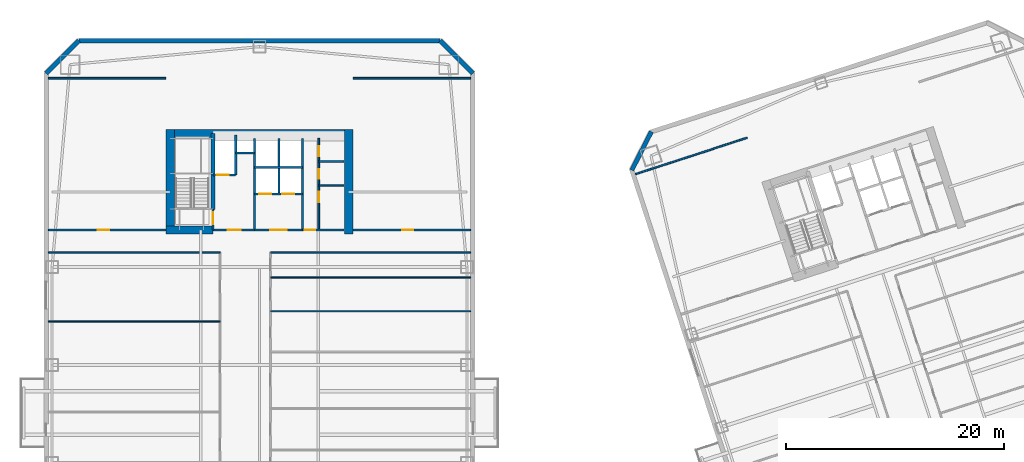
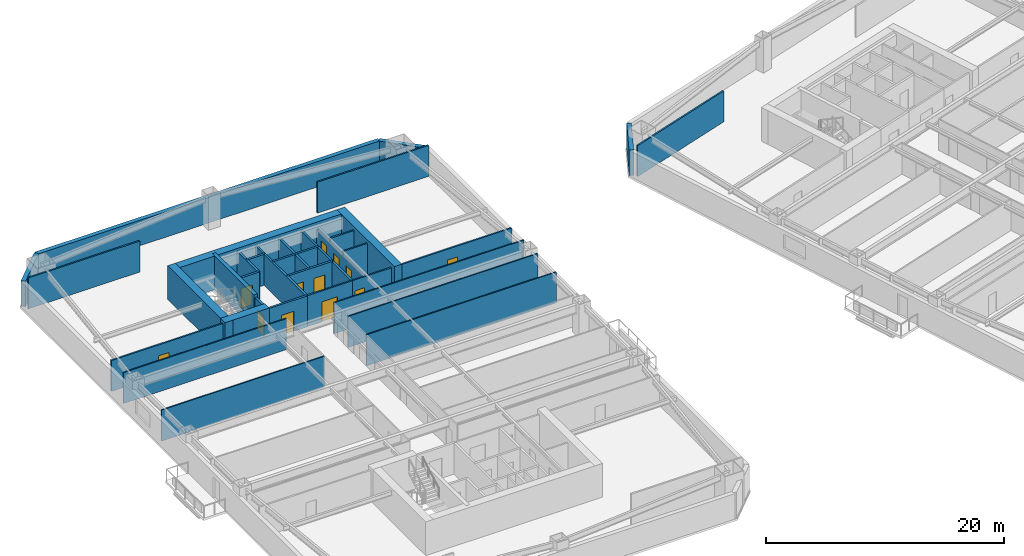
# One storey, part 6 of 15: 34 walls, 12 doors, 12 openings.
"""IFC4 building model written with IfcOpenShell, lengths in metres."""

from ifc_helpers import new_model, si_unit, direction, frame, frame_2d, origin, place, context, subcontext, project, spatial, rectangle, extrude, material, layer, layer_set, type_object, element, fill, save


model = new_model("IFC4")

# Units and contexts
model_context = context("Model", 3, precision=1e-05, world=origin(), true_north=direction((0.0, 1.0)))
body_context = subcontext(model_context, "Body", "Model", "MODEL_VIEW")
ifc_project = project(units=[si_unit("LENGTHUNIT", "METRE"), si_unit("AREAUNIT", "SQUARE_METRE"), si_unit("VOLUMEUNIT", "CUBIC_METRE"), si_unit("PLANEANGLEUNIT", "RADIAN"), si_unit("MASSUNIT", "GRAM", prefix="KILO")], contexts=[model_context])

# Site, building, storey
site_placement = place(None, origin())
site = spatial("IfcSite", under=ifc_project, at=site_placement, CompositionType="ELEMENT")
building_placement = place(site_placement, origin())
building = spatial("IfcBuilding", under=site, at=building_placement, Name="Qiaolan Cultural Towers", CompositionType="ELEMENT")
storey_placement = place(building_placement, frame((0.0, 0.0, 60.949951171875)))
storey = spatial("IfcBuildingStorey", under=building, at=storey_placement, Name="L14", CompositionType="ELEMENT", Elevation=60.949951171875)

# Walls
ifc_material_1 = material(Name="Concrete C50", Category="concrete")
ifc_layer_1 = layer(ifc_material_1, 0.35009765625)
ifc_layer_set_1 = layer_set([ifc_layer_1], Name="Concrete C50")
wall_type_1 = type_object("IfcWallType", Name="WL-CORE-350", PredefinedType="SHEAR", material=ifc_layer_set_1)
wall_1_placement = place(storey_placement, frame((25.719970703125, 48.300048828125, 0.0), z_axis=(0.0, 0.0, 1.0), x_axis=(0.0, 1.0, 0.0)))
element("IfcWall", 1, at=wall_1_placement, inside=storey, type_object=wall_type_1, Name="L14 T1-CN Stair Core Dividing Web", PredefinedType="SHEAR", context=body_context, shape_type="SweptSolid", body=[
    extrude(rectangle(XDim=6.97998046875, YDim=0.35009765625, at=frame_2d((3.489990234375, 0.0))), origin(), (0.0, 0.0, 1.0), 3.449951171875),
])
ifc_material_2 = material(Name="Concrete C60", Category="concrete")
ifc_layer_2 = layer(ifc_material_2, 0.75)
ifc_layer_set_2 = layer_set([ifc_layer_2], Name="Concrete C60")
wall_type_2 = type_object("IfcWallType", Name="WL-CORE-750", PredefinedType="SHEAR", material=ifc_layer_set_2)
wall_2_placement = place(storey_placement, frame((21.425048828125, 55.280029296875, 0.0), z_axis=(0.0, 0.0, 1.0), x_axis=(1.0, 0.0, 0.0)))
element("IfcWall", 2, at=wall_2_placement, inside=storey, type_object=wall_type_2, Name="L14 T1-CN Outer Core Shear Wall", PredefinedType="SHEAR", context=body_context, shape_type="SweptSolid", body=[
    extrude(rectangle(XDim=17.14990234375, YDim=0.75, at=frame_2d((8.574951171875, 0.0))), origin(), (0.0, 0.0, 1.0), 3.449951171875),
])
for number, where, z_axis, x_axis, name in (
    (3, (21.800048828125, 46.02490234375, 0.0), (0.0, 0.0, 1.0), (0.0, 1.0, 0.0), "L14 T1-CN West Core Shear Wall"),
    (4, (38.199951171875, 46.02490234375, 0.0), (0.0, 0.0, 1.0), (0.0, 1.0, 0.0), "L14 T1-CN East Core Shear Wall"),
):
    element("IfcWall", number, at=place(storey_placement, frame(where, z_axis=z_axis, x_axis=x_axis)), inside=storey, type_object=wall_type_2, Name=name, PredefinedType="SHEAR", context=body_context, shape_type="SweptSolid", body=[
        extrude(rectangle(XDim=9.630126953125, YDim=0.75, at=frame_2d((4.81494140625, 0.0))), origin(), (0.0, 0.0, 1.0), 3.449951171875),
    ])
wall_3_placement = place(storey_placement, frame((21.425048828125, 46.39990234375, 0.0), z_axis=(0.0, 0.0, 1.0), x_axis=(1.0, 0.0, 0.0)))
element("IfcWall", 5, at=wall_3_placement, inside=storey, type_object=wall_type_2, Name="L14 T1-CN Stair Front Shear Wall", PredefinedType="SHEAR", context=body_context, shape_type="SweptSolid", body=[
    extrude(rectangle(XDim=4.294921875, YDim=0.75, at=frame_2d((2.1474609375, 0.0))), origin(), (0.0, 0.0, 1.0), 3.449951171875),
])
ifc_material_3 = material(Name="Precast Concrete C50 Honed Stone Pier", Category="masonry")
ifc_layer_3 = layer(ifc_material_3, 0.39990234375)
ifc_layer_set_3 = layer_set([ifc_layer_3], Name="Precast Concrete C50 Honed Stone Pier")
wall_type_3 = type_object("IfcWallType", Name="WL-EXT-PIER-400", PredefinedType="SOLIDWALL", material=ifc_layer_set_3)
wall_4_placement = place(storey_placement, frame((10.39990234375, 60.800048828125, 0.0), z_axis=(0.0, 0.0, 1.0), x_axis=(0.707106781187, 0.707106781187, 0.0)))
element("IfcWall", 6, at=wall_4_placement, inside=storey, type_object=wall_type_3, Name="L14 West Tower Precast Pier Facade Wall F2", PredefinedType="SOLIDWALL", context=body_context, shape_type="SweptSolid", body=[
    extrude(rectangle(XDim=4.24267578125, YDim=0.39990234375, at=frame_2d((2.121337890625, 0.0))), origin(), (0.0, 0.0, 1.0), 2.610107421875),
])
wall_5_placement = place(storey_placement, frame((13.39990234375, 63.800048828125, 0.0), z_axis=(0.0, 0.0, 1.0), x_axis=(1.0, 0.0, 0.0)))
element("IfcWall", 7, at=wall_5_placement, inside=storey, type_object=wall_type_3, Name="L14 West Tower Precast Pier Facade Wall F3", PredefinedType="SOLIDWALL", context=body_context, shape_type="SweptSolid", body=[
    extrude(rectangle(XDim=33.2001953125, YDim=0.39990234375, at=frame_2d((16.60009765625, 0.0))), origin(), (0.0, 0.0, 1.0), 2.610107421875),
])
wall_6_placement = place(storey_placement, frame((46.60009765625, 63.800048828125, 0.0), z_axis=(0.0, 0.0, 1.0), x_axis=(0.707106781187, -0.707106781187, 0.0)))
element("IfcWall", 8, at=wall_6_placement, inside=storey, type_object=wall_type_3, Name="L14 West Tower Precast Pier Facade Wall F4", PredefinedType="SOLIDWALL", context=body_context, shape_type="SweptSolid", body=[
    extrude(rectangle(XDim=4.24267578125, YDim=0.39990234375, at=frame_2d((2.121337890625, 0.0))), origin(), (0.0, 0.0, 1.0), 2.610107421875),
])
wall_7_placement = place(storey_placement, frame((64.20458984375, 51.905029296875, 0.0), z_axis=(0.0, 0.0, 1.0), x_axis=(0.453958106755, 0.891023028497, 0.0)))
element("IfcWall", 9, at=wall_7_placement, inside=storey, type_object=wall_type_3, Name="L14 East Tower Precast Pier Facade Wall F2", PredefinedType="SOLIDWALL", context=body_context, shape_type="SweptSolid", body=[
    extrude(rectangle(XDim=3.9599609375, YDim=0.39990234375, at=frame_2d((1.97998046875, 0.0))), origin(), (0.0, 0.0, 1.0), 2.610107421875),
])

# Wall, opening, door
ifc_material_4 = material(Name="Concrete C35 Fire Wall", Category="concrete")
ifc_layer_4 = layer(ifc_material_4, 0.199951171875)
ifc_layer_set_4 = layer_set([ifc_layer_4], Name="Concrete C35 Fire Wall")
wall_type_4 = type_object("IfcWallType", Name="WL-FIRE-200", PredefinedType="PARTITIONING", material=ifc_layer_set_4)
wall_8_placement = place(storey_placement, frame((25.719970703125, 46.39990234375, 0.0), z_axis=(0.0, 0.0, 1.0), x_axis=(0.0, 1.0, 0.0)))
wall_8 = element("IfcWall", 10, at=wall_8_placement, inside=storey, type_object=wall_type_4, Name="L14 T1-CN Smokeproof Stair Entry Wall", PredefinedType="PARTITIONING", context=body_context, shape_type="SweptSolid", body=[
    extrude(rectangle(XDim=1.900146484375, YDim=0.199951171875, at=frame_2d((0.9501953125, 0.0))), origin(), (0.0, 0.0, 1.0), 3.175048828125),
])
opening_1_placement = place(wall_8_placement, frame((0.52001953125, 0.0, 0.0)))
opening_1 = element("IfcOpeningElement", 11, at=opening_1_placement, cuts=wall_8, Name="Opening FD-04", PredefinedType="OPENING", context=body_context, shape_type="SweptSolid", body=[
    extrude(rectangle(XDim=1.10009765625, YDim=2.050048828125, at=frame_2d((0.550048828125, 1.02490234375))), frame((0.0, 0.10986328125, 0.0), z_axis=(0.0, -1.0, 0.0), x_axis=(1.0, 0.0, 0.0)), (0.0, 0.0, 1.0), 0.219970703125),
])
ifc_material_5 = material(Name="Galvanized Steel Command Fire Door", Category="steel")
door_type_1 = type_object("IfcDoorType", Name="DR-FD90-1100", OperationType="NOTDEFINED", PredefinedType="DOOR", material=ifc_material_5)
door_1_placement = place(opening_1_placement, origin())
door_1 = element("IfcDoor", 12, at=door_1_placement, inside=storey, type_object=door_type_1, Name="L14 ST-W2 Smokeproof Stair Fire Door", OperationType="SINGLE_SWING_LEFT", OverallHeight=2.050048828125, OverallWidth=1.10009765625, PredefinedType="DOOR", context=body_context, shape_type="SweptSolid", body=[
    extrude(rectangle(XDim=1.10009765625, YDim=2.050048828125, at=frame_2d((0.550048828125, 1.02490234375))), frame((0.0, 0.02490234375, 0.0), z_axis=(0.0, -1.0, 0.0), x_axis=(1.0, 0.0, 0.0)), (0.0, 0.0, 1.0), 0.050048828125),
])
fill(opening_1, door_1)

# Wall
wall_9_placement = place(storey_placement, frame((29.550048828125, 46.39990234375, 0.0), z_axis=(0.0, 0.0, 1.0), x_axis=(0.0, 1.0, 0.0)))
element("IfcWall", 13, at=wall_9_placement, inside=storey, type_object=wall_type_4, Name="L14 T1-CN Firefighting Zone Wall", PredefinedType="PARTITIONING", context=body_context, shape_type="SweptSolid", body=[
    extrude(rectangle(XDim=8.43017578125, YDim=0.199951171875, at=frame_2d((4.215087890625, 0.0))), origin(), (0.0, 0.0, 1.0), 3.175048828125),
])

# Wall, opening, door
wall_10_placement = place(storey_placement, frame((25.719970703125, 46.39990234375, 0.0), z_axis=(0.0, 0.0, 1.0), x_axis=(1.0, 0.0, 0.0)))
wall_10 = element("IfcWall", 14, at=wall_10_placement, inside=storey, type_object=wall_type_4, Name="L14 T1-CN Firefighting Lobby Front Wall", PredefinedType="PARTITIONING", context=body_context, shape_type="SweptSolid", body=[
    extrude(rectangle(XDim=3.830078125, YDim=0.199951171875, at=frame_2d((1.9150390625, 0.0))), origin(), (0.0, 0.0, 1.0), 3.175048828125),
])
opening_2_placement = place(wall_10_placement, frame((1.35009765625, 0.0, 0.0)))
opening_2 = element("IfcOpeningElement", 15, at=opening_2_placement, cuts=wall_10, Name="Opening FD-03", PredefinedType="OPENING", context=body_context, shape_type="SweptSolid", body=[
    extrude(rectangle(XDim=1.199951171875, YDim=2.050048828125, at=frame_2d((0.60009765625, 1.02490234375))), frame((0.0, 0.10986328125, 0.0), z_axis=(0.0, -1.0, 0.0), x_axis=(1.0, 0.0, 0.0)), (0.0, 0.0, 1.0), 0.219970703125),
])
ifc_material_6 = material(Name="Galvanized Steel Smokeproof Lobby Fire Door", Category="steel")
door_type_2 = type_object("IfcDoorType", Name="DR-FD90-1200", OperationType="NOTDEFINED", PredefinedType="DOOR", material=ifc_material_6)
door_2_placement = place(opening_2_placement, origin())
door_2 = element("IfcDoor", 16, at=door_2_placement, inside=storey, type_object=door_type_2, Name="L14 FFL-W2 Firefighting Lobby Fire Door", OperationType="SINGLE_SWING_LEFT", OverallHeight=2.050048828125, OverallWidth=1.199951171875, PredefinedType="DOOR", context=body_context, shape_type="SweptSolid", body=[
    extrude(rectangle(XDim=1.199951171875, YDim=2.050048828125, at=frame_2d((0.60009765625, 1.02490234375))), frame((0.0, 0.02490234375, 0.0), z_axis=(0.0, -1.0, 0.0), x_axis=(1.0, 0.0, 0.0)), (0.0, 0.0, 1.0), 0.050048828125),
])
fill(opening_2, door_2)

wall_11_placement = place(storey_placement, frame((25.719970703125, 51.449951171875, 0.0), z_axis=(0.0, 0.0, 1.0), x_axis=(1.0, 0.0, 0.0)))
wall_11 = element("IfcWall", 17, at=wall_11_placement, inside=storey, type_object=wall_type_4, Name="L14 T1-CN Firefighting Shaft Front Wall", PredefinedType="PARTITIONING", context=body_context, shape_type="SweptSolid", body=[
    extrude(rectangle(XDim=2.10009765625, YDim=0.199951171875, at=frame_2d((1.050048828125, 0.0))), origin(), (0.0, 0.0, 1.0), 3.175048828125),
])
opening_3_placement = place(wall_11_placement, frame((0.35009765625, 0.0, 0.0)))
opening_3 = element("IfcOpeningElement", 18, at=opening_3_placement, cuts=wall_11, Name="Opening LD-01", PredefinedType="OPENING", context=body_context, shape_type="SweptSolid", body=[
    extrude(rectangle(XDim=1.10009765625, YDim=2.050048828125, at=frame_2d((0.550048828125, 1.02490234375))), frame((0.0, 0.10986328125, 0.0), z_axis=(0.0, -1.0, 0.0), x_axis=(1.0, 0.0, 0.0)), (0.0, 0.0, 1.0), 0.219970703125),
])
ifc_material_7 = material(Name="Brushed Stainless Steel S30408 Centre-Parting Lift Landing Door", Category="steel")
door_type_3 = type_object("IfcDoorType", Name="DR-LIFT-1100", OperationType="NOTDEFINED", PredefinedType="DOOR", material=ifc_material_7)
door_3_placement = place(opening_3_placement, origin())
door_3 = element("IfcDoor", 19, at=door_3_placement, inside=storey, type_object=door_type_3, Name="L14 FFL-W2 Firefighting Lift Landing Door", OperationType="DOUBLE_DOOR_SLIDING", OverallHeight=2.050048828125, OverallWidth=1.10009765625, PredefinedType="DOOR", context=body_context, shape_type="SweptSolid", body=[
    extrude(rectangle(XDim=1.10009765625, YDim=2.050048828125, at=frame_2d((0.550048828125, 1.02490234375))), frame((0.0, 0.02490234375, 0.0), z_axis=(0.0, -1.0, 0.0), x_axis=(1.0, 0.0, 0.0)), (0.0, 0.0, 1.0), 0.050048828125),
])
fill(opening_3, door_3)

# Walls
wall_12_placement = place(storey_placement, frame((27.820068359375, 51.449951171875, 0.0), z_axis=(0.0, 0.0, 1.0), x_axis=(0.0, 1.0, 0.0)))
element("IfcWall", 20, at=wall_12_placement, inside=storey, type_object=wall_type_4, Name="L14 T1-CN Firefighting Hoistway East Wall", PredefinedType="PARTITIONING", context=body_context, shape_type="SweptSolid", body=[
    extrude(rectangle(XDim=3.699951171875, YDim=0.199951171875, at=frame_2d((1.85009765625, 0.0))), origin(), (0.0, 0.0, 1.0), 3.175048828125),
])
wall_13_placement = place(storey_placement, frame((27.820068359375, 53.47998046875, 0.0), z_axis=(0.0, 0.0, 1.0), x_axis=(1.0, 0.0, 0.0)))
element("IfcWall", 21, at=wall_13_placement, inside=storey, type_object=wall_type_4, Name="L14 T1-CN Pressurization Shaft Front Wall", PredefinedType="PARTITIONING", context=body_context, shape_type="SweptSolid", body=[
    extrude(rectangle(XDim=1.72998046875, YDim=0.199951171875, at=frame_2d((0.864990234375, 0.0))), origin(), (0.0, 0.0, 1.0), 3.175048828125),
])
wall_14_placement = place(storey_placement, frame((33.949951171875, 46.39990234375, 0.0), z_axis=(0.0, 0.0, 1.0), x_axis=(0.0, 1.0, 0.0)))
element("IfcWall", 22, at=wall_14_placement, inside=storey, type_object=wall_type_4, Name="L14 T1-CN Lift Core East Wall", PredefinedType="PARTITIONING", context=body_context, shape_type="SweptSolid", body=[
    extrude(rectangle(XDim=8.43017578125, YDim=0.199951171875, at=frame_2d((4.215087890625, 0.0))), origin(), (0.0, 0.0, 1.0), 3.175048828125),
])

# Wall, openings, doors
wall_15_placement = place(storey_placement, frame((29.550048828125, 49.719970703125, 0.0), z_axis=(0.0, 0.0, 1.0), x_axis=(1.0, 0.0, 0.0)))
wall_15 = element("IfcWall", 23, at=wall_15_placement, inside=storey, type_object=wall_type_4, Name="L14 T1-CN Passenger Lift Shaft Front Wall", PredefinedType="PARTITIONING", context=body_context, shape_type="SweptSolid", body=[
    extrude(rectangle(XDim=4.39990234375, YDim=0.199951171875, at=frame_2d((2.199951171875, 0.0))), origin(), (0.0, 0.0, 1.0), 3.175048828125),
])
opening_4_placement = place(wall_15_placement, frame((0.449951171875, 0.0, 0.0)))
opening_4 = element("IfcOpeningElement", 24, at=opening_4_placement, cuts=wall_15, Name="Opening LD-01", PredefinedType="OPENING", context=body_context, shape_type="SweptSolid", body=[
    extrude(rectangle(XDim=1.10009765625, YDim=2.050048828125, at=frame_2d((0.550048828125, 1.02490234375))), frame((0.0, 0.10986328125, 0.0), z_axis=(0.0, -1.0, 0.0), x_axis=(1.0, 0.0, 0.0)), (0.0, 0.0, 1.0), 0.219970703125),
])
opening_5_placement = place(wall_15_placement, frame((2.550048828125, 0.0, 0.0)))
opening_5 = element("IfcOpeningElement", 25, at=opening_5_placement, cuts=wall_15, Name="Opening LD-01", PredefinedType="OPENING", context=body_context, shape_type="SweptSolid", body=[
    extrude(rectangle(XDim=1.10009765625, YDim=2.050048828125, at=frame_2d((0.550048828125, 1.02490234375))), frame((0.0, 0.10986328125, 0.0), z_axis=(0.0, -1.0, 0.0), x_axis=(1.0, 0.0, 0.0)), (0.0, 0.0, 1.0), 0.219970703125),
])
door_4_placement = place(opening_4_placement, origin())
door_4 = element("IfcDoor", 26, at=door_4_placement, inside=storey, type_object=door_type_3, Name="L14 Passenger Lift 1 Landing Door", OperationType="DOUBLE_DOOR_SLIDING", OverallHeight=2.050048828125, OverallWidth=1.10009765625, PredefinedType="DOOR", context=body_context, shape_type="SweptSolid", body=[
    extrude(rectangle(XDim=1.10009765625, YDim=2.050048828125, at=frame_2d((0.550048828125, 1.02490234375))), frame((0.0, 0.02490234375, 0.0), z_axis=(0.0, -1.0, 0.0), x_axis=(1.0, 0.0, 0.0)), (0.0, 0.0, 1.0), 0.050048828125),
])
fill(opening_4, door_4)
door_5_placement = place(opening_5_placement, origin())
door_5 = element("IfcDoor", 27, at=door_5_placement, inside=storey, type_object=door_type_3, Name="L14 Passenger Lift 2 Landing Door", OperationType="DOUBLE_DOOR_SLIDING", OverallHeight=2.050048828125, OverallWidth=1.10009765625, PredefinedType="DOOR", context=body_context, shape_type="SweptSolid", body=[
    extrude(rectangle(XDim=1.10009765625, YDim=2.050048828125, at=frame_2d((0.550048828125, 1.02490234375))), frame((0.0, 0.02490234375, 0.0), z_axis=(0.0, -1.0, 0.0), x_axis=(1.0, 0.0, 0.0)), (0.0, 0.0, 1.0), 0.050048828125),
])
fill(opening_5, door_5)

# Walls
wall_16_placement = place(storey_placement, frame((31.780029296875, 49.719970703125, 0.0), z_axis=(0.0, 0.0, 1.0), x_axis=(0.0, 1.0, 0.0)))
element("IfcWall", 28, at=wall_16_placement, inside=storey, type_object=wall_type_4, Name="L14 T1-CN Lift Shaft Divider Wall", PredefinedType="PARTITIONING", context=body_context, shape_type="SweptSolid", body=[
    extrude(rectangle(XDim=5.110107421875, YDim=0.199951171875, at=frame_2d((2.55517578125, 0.0))), origin(), (0.0, 0.0, 1.0), 3.175048828125),
])
wall_17_placement = place(storey_placement, frame((29.550048828125, 52.14990234375, 0.0), z_axis=(0.0, 0.0, 1.0), x_axis=(1.0, 0.0, 0.0)))
element("IfcWall", 29, at=wall_17_placement, inside=storey, type_object=wall_type_4, Name="L14 T1-CN Passenger Lift Shaft Back Wall", PredefinedType="PARTITIONING", context=body_context, shape_type="SweptSolid", body=[
    extrude(rectangle(XDim=4.39990234375, YDim=0.199951171875, at=frame_2d((2.199951171875, 0.0))), origin(), (0.0, 0.0, 1.0), 3.175048828125),
])
ifc_material_8 = material(Name="Gypsum Stud Acoustic Partition", Category="gypsum")
ifc_layer_5 = layer(ifc_material_8, 0.1201171875)
ifc_layer_set_5 = layer_set([ifc_layer_5], Name="Gypsum Stud Acoustic Partition")
wall_type_5 = type_object("IfcWallType", Name="WL-PART-120", PredefinedType="PARTITIONING", material=ifc_layer_set_5)
wall_18_placement = place(storey_placement, frame((10.60009765625, 44.35009765625, 0.0), z_axis=(0.0, 0.0, 1.0), x_axis=(1.0, 0.0, 0.0)))
element("IfcWall", 30, at=wall_18_placement, inside=storey, type_object=wall_type_5, Name="L14 T1 North Corridor Left Wall", PredefinedType="PARTITIONING", context=body_context, shape_type="SweptSolid", body=[
    extrude(rectangle(XDim=15.77490234375, YDim=0.1201171875, at=frame_2d((7.887451171875, 0.0))), origin(), (0.0, 0.0, 1.0), 3.175048828125),
])
wall_19_placement = place(storey_placement, frame((31.02490234375, 44.35009765625, 0.0), z_axis=(0.0, 0.0, 1.0), x_axis=(1.0, 0.0, 0.0)))
element("IfcWall", 31, at=wall_19_placement, inside=storey, type_object=wall_type_5, Name="L14 T1 North Corridor Right Wall", PredefinedType="PARTITIONING", context=body_context, shape_type="SweptSolid", body=[
    extrude(rectangle(XDim=18.375, YDim=0.1201171875, at=frame_2d((9.1875, 0.0))), origin(), (0.0, 0.0, 1.0), 3.175048828125),
])
wall_20_placement = place(storey_placement, frame((10.60009765625, 38.0, 0.0), z_axis=(0.0, 0.0, 1.0), x_axis=(1.0, 0.0, 0.0)))
element("IfcWall", 32, at=wall_20_placement, inside=storey, type_object=wall_type_5, Name="L14 T1 West Partition 2", PredefinedType="PARTITIONING", context=body_context, shape_type="SweptSolid", body=[
    extrude(rectangle(XDim=15.77490234375, YDim=0.1201171875, at=frame_2d((7.887451171875, 0.0))), origin(), (0.0, 0.0, 1.0), 3.175048828125),
])
for number, where, z_axis, x_axis, name in (
    (33, (31.02490234375, 38.93603515625, 0.0), (0.0, 0.0, 1.0), (1.0, 0.0, 0.0), "L14 T1 East Partition 4"),
    (34, (31.02490234375, 42.041015625, 0.0), (0.0, 0.0, 1.0), (1.0, 0.0, 0.0), "L14 T1 East Partition 5"),
):
    element("IfcWall", number, at=place(storey_placement, frame(where, z_axis=z_axis, x_axis=x_axis)), inside=storey, type_object=wall_type_5, Name=name, PredefinedType="PARTITIONING", context=body_context, shape_type="SweptSolid", body=[
        extrude(rectangle(XDim=18.375, YDim=0.1201171875, at=frame_2d((9.1875, 0.0))), origin(), (0.0, 0.0, 1.0), 3.175048828125),
    ])

# Wall, opening, door
ifc_material_9 = material(Name="Autoclaved Aerated Concrete Block B06", Category="concrete")
ifc_layer_6 = layer(ifc_material_9, 0.14990234375)
ifc_layer_set_6 = layer_set([ifc_layer_6], Name="Autoclaved Aerated Concrete Block B06")
wall_type_6 = type_object("IfcWallType", Name="WL-PART-150", PredefinedType="PARTITIONING", material=ifc_layer_set_6)
wall_21_placement = place(storey_placement, frame((29.550048828125, 46.39990234375, 0.0), z_axis=(0.0, 0.0, 1.0), x_axis=(1.0, 0.0, 0.0)))
wall_21 = element("IfcWall", 35, at=wall_21_placement, inside=storey, type_object=wall_type_6, Name="L14 T1-CN Passenger Lift Lobby Front Wall", PredefinedType="PARTITIONING", context=body_context, shape_type="SweptSolid", body=[
    extrude(rectangle(XDim=4.39990234375, YDim=0.14990234375, at=frame_2d((2.199951171875, 0.0))), origin(), (0.0, 0.0, 1.0), 3.175048828125),
])
opening_6_placement = place(wall_21_placement, frame((1.449951171875, 0.0, 0.0)))
opening_6 = element("IfcOpeningElement", 36, at=opening_6_placement, cuts=wall_21, Name="Opening FD-05", PredefinedType="OPENING", context=body_context, shape_type="SweptSolid", body=[
    extrude(rectangle(XDim=1.5, YDim=2.050048828125, at=frame_2d((0.75, 1.02490234375))), frame((0.0, 0.0849609375, 0.0), z_axis=(0.0, -1.0, 0.0), x_axis=(1.0, 0.0, 0.0)), (0.0, 0.0, 1.0), 0.169921875),
])
ifc_material_10 = material(Name="Painted Steel Lift Lobby Fire Door", Category="steel")
door_type_4 = type_object("IfcDoorType", Name="DR-FD60-1500", OperationType="NOTDEFINED", PredefinedType="DOOR", material=ifc_material_10)
door_6_placement = place(opening_6_placement, origin())
door_6 = element("IfcDoor", 37, at=door_6_placement, inside=storey, type_object=door_type_4, Name="L14 Passenger Lift Lobby Entrance", OperationType="SINGLE_SWING_LEFT", OverallHeight=2.050048828125, OverallWidth=1.5, PredefinedType="DOOR", context=body_context, shape_type="SweptSolid", body=[
    extrude(rectangle(XDim=1.5, YDim=2.050048828125, at=frame_2d((0.75, 1.02490234375))), frame((0.0, 0.02490234375, 0.0), z_axis=(0.0, -1.0, 0.0), x_axis=(1.0, 0.0, 0.0)), (0.0, 0.0, 1.0), 0.050048828125),
])
fill(opening_6, door_6)

wall_22_placement = place(storey_placement, frame((33.949951171875, 46.39990234375, 0.0), z_axis=(0.0, 0.0, 1.0), x_axis=(1.0, 0.0, 0.0)))
wall_22 = element("IfcWall", 38, at=wall_22_placement, inside=storey, type_object=wall_type_6, Name="L14 T1-CN Sanitary Core Front Wall", PredefinedType="PARTITIONING", context=body_context, shape_type="SweptSolid", body=[
    extrude(rectangle(XDim=3.800048828125, YDim=0.14990234375, at=frame_2d((1.89990234375, 0.0))), origin(), (0.0, 0.0, 1.0), 3.175048828125),
])
opening_7_placement = place(wall_22_placement, frame((0.219970703125, 0.0, 0.0)))
opening_7 = element("IfcOpeningElement", 39, at=opening_7_placement, cuts=wall_22, Name="Opening ID-05", PredefinedType="OPENING", context=body_context, shape_type="SweptSolid", body=[
    extrude(rectangle(XDim=0.949951171875, YDim=2.050048828125, at=frame_2d((0.47509765625, 1.02490234375))), frame((0.0, 0.0849609375, 0.0), z_axis=(0.0, -1.0, 0.0), x_axis=(1.0, 0.0, 0.0)), (0.0, 0.0, 1.0), 0.169921875),
])
ifc_material_11 = material(Name="Fire-Rated Laminate Accessible Core Door", Category="timber")
door_type_5 = type_object("IfcDoorType", Name="DR-INT-950", OperationType="NOTDEFINED", PredefinedType="DOOR", material=ifc_material_11)
door_7_placement = place(opening_7_placement, origin())
door_7 = element("IfcDoor", 40, at=door_7_placement, inside=storey, type_object=door_type_5, Name="L14 Sanitary Vestibule Door", OperationType="SINGLE_SWING_LEFT", OverallHeight=2.050048828125, OverallWidth=0.949951171875, PredefinedType="DOOR", context=body_context, shape_type="SweptSolid", body=[
    extrude(rectangle(XDim=0.949951171875, YDim=2.050048828125, at=frame_2d((0.47509765625, 1.02490234375))), frame((0.0, 0.02490234375, 0.0), z_axis=(0.0, -1.0, 0.0), x_axis=(1.0, 0.0, 0.0)), (0.0, 0.0, 1.0), 0.050048828125),
])
fill(opening_7, door_7)

# Wall, openings, doors
wall_23_placement = place(storey_placement, frame((35.449951171875, 46.39990234375, 0.0), z_axis=(0.0, 0.0, 1.0), x_axis=(0.0, 1.0, 0.0)))
wall_23 = element("IfcWall", 41, at=wall_23_placement, inside=storey, type_object=wall_type_6, Name="L14 T1-CN Sanitary Vestibule Wall", PredefinedType="PARTITIONING", context=body_context, shape_type="SweptSolid", body=[
    extrude(rectangle(XDim=8.43017578125, YDim=0.14990234375, at=frame_2d((4.215087890625, 0.0))), origin(), (0.0, 0.0, 1.0), 2.76513671875),
])
opening_8_placement = place(wall_23_placement, frame((2.550048828125, 0.0, 0.0)))
opening_8 = element("IfcOpeningElement", 42, at=opening_8_placement, cuts=wall_23, Name="Opening ID-05", PredefinedType="OPENING", context=body_context, shape_type="SweptSolid", body=[
    extrude(rectangle(XDim=0.949951171875, YDim=2.050048828125, at=frame_2d((0.47509765625, 1.02490234375))), frame((0.0, 0.0849609375, 0.0), z_axis=(0.0, -1.0, 0.0), x_axis=(1.0, 0.0, 0.0)), (0.0, 0.0, 1.0), 0.169921875),
])
opening_9_placement = place(wall_23_placement, frame((4.699951171875, 0.0, 0.0)))
opening_9 = element("IfcOpeningElement", 43, at=opening_9_placement, cuts=wall_23, Name="Opening ID-06", PredefinedType="OPENING", context=body_context, shape_type="SweptSolid", body=[
    extrude(rectangle(XDim=0.89990234375, YDim=2.050048828125, at=frame_2d((0.449951171875, 1.02490234375))), frame((0.0, 0.0849609375, 0.0), z_axis=(0.0, -1.0, 0.0), x_axis=(1.0, 0.0, 0.0)), (0.0, 0.0, 1.0), 0.169921875),
])
opening_10_placement = place(wall_23_placement, frame((6.800048828125, 0.0, 0.0)))
opening_10 = element("IfcOpeningElement", 44, at=opening_10_placement, cuts=wall_23, Name="Opening ID-06", PredefinedType="OPENING", context=body_context, shape_type="SweptSolid", body=[
    extrude(rectangle(XDim=0.89990234375, YDim=2.050048828125, at=frame_2d((0.449951171875, 1.02490234375))), frame((0.0, 0.0849609375, 0.0), z_axis=(0.0, -1.0, 0.0), x_axis=(1.0, 0.0, 0.0)), (0.0, 0.0, 1.0), 0.169921875),
])
ifc_material_12 = material(Name="Fire-Rated Laminate Core Service Door", Category="timber")
door_type_6 = type_object("IfcDoorType", Name="DR-INT-900", OperationType="NOTDEFINED", PredefinedType="DOOR", material=ifc_material_12)
door_8_placement = place(opening_9_placement, origin())
door_8 = element("IfcDoor", 45, at=door_8_placement, inside=storey, type_object=door_type_6, Name="L14 Men Washroom Door", OperationType="SINGLE_SWING_LEFT", OverallHeight=2.050048828125, OverallWidth=0.89990234375, PredefinedType="DOOR", context=body_context, shape_type="SweptSolid", body=[
    extrude(rectangle(XDim=0.89990234375, YDim=2.050048828125, at=frame_2d((0.449951171875, 1.02490234375))), frame((0.0, 0.02490234375, 0.0), z_axis=(0.0, -1.0, 0.0), x_axis=(1.0, 0.0, 0.0)), (0.0, 0.0, 1.0), 0.050048828125),
])
fill(opening_9, door_8)
door_9_placement = place(opening_10_placement, origin())
door_9 = element("IfcDoor", 46, at=door_9_placement, inside=storey, type_object=door_type_6, Name="L14 Women Washroom Door", OperationType="SINGLE_SWING_RIGHT", OverallHeight=2.050048828125, OverallWidth=0.89990234375, PredefinedType="DOOR", context=body_context, shape_type="SweptSolid", body=[
    extrude(rectangle(XDim=0.89990234375, YDim=2.050048828125, at=frame_2d((0.449951171875, 1.02490234375))), frame((0.0, 0.02490234375, 0.0), z_axis=(0.0, -1.0, 0.0), x_axis=(1.0, 0.0, 0.0)), (0.0, 0.0, 1.0), 0.050048828125),
])
fill(opening_10, door_9)
door_10_placement = place(opening_8_placement, origin())
door_10 = element("IfcDoor", 47, at=door_10_placement, inside=storey, type_object=door_type_5, Name="L14 Accessible Family Washroom Door", OperationType="SINGLE_SWING_LEFT", OverallHeight=2.050048828125, OverallWidth=0.949951171875, PredefinedType="DOOR", context=body_context, shape_type="SweptSolid", body=[
    extrude(rectangle(XDim=0.949951171875, YDim=2.050048828125, at=frame_2d((0.47509765625, 1.02490234375))), frame((0.0, 0.02490234375, 0.0), z_axis=(0.0, -1.0, 0.0), x_axis=(1.0, 0.0, 0.0)), (0.0, 0.0, 1.0), 0.050048828125),
])
fill(opening_8, door_10)

# Walls
for number, where, z_axis, x_axis, name in (
    (48, (35.449951171875, 50.5, 0.0), (0.0, 0.0, 1.0), (1.0, 0.0, 0.0), "L14 T1-CN Restroom Split Wall 1"),
    (49, (35.449951171875, 52.699951171875, 0.0), (0.0, 0.0, 1.0), (1.0, 0.0, 0.0), "L14 T1-CN Restroom Split Wall 2"),
):
    element("IfcWall", number, at=place(storey_placement, frame(where, z_axis=z_axis, x_axis=x_axis)), inside=storey, type_object=wall_type_6, Name=name, PredefinedType="PARTITIONING", context=body_context, shape_type="SweptSolid", body=[
        extrude(rectangle(XDim=2.300048828125, YDim=0.14990234375, at=frame_2d((1.14990234375, 0.0))), origin(), (0.0, 0.0, 1.0), 3.175048828125),
    ])
wall_24_placement = place(storey_placement, frame((10.60009765625, 60.35009765625, 0.0), z_axis=(0.0, 0.0, 1.0), x_axis=(1.0, 0.0, 0.0)))
element("IfcWall", 50, at=wall_24_placement, inside=storey, type_object=wall_type_6, Name="L14 T1 Flank Wall FLK-NW", PredefinedType="PARTITIONING", context=body_context, shape_type="SweptSolid", body=[
    extrude(rectangle(XDim=10.7998046875, YDim=0.14990234375, at=frame_2d((5.39990234375, 0.0))), origin(), (0.0, 0.0, 1.0), 3.175048828125),
])

# Wall, opening, door
wall_25_placement = place(storey_placement, frame((10.60009765625, 46.39990234375, 0.0), z_axis=(0.0, 0.0, 1.0), x_axis=(1.0, 0.0, 0.0)))
wall_25 = element("IfcWall", 51, at=wall_25_placement, inside=storey, type_object=wall_type_6, Name="L14 T1 Flank Front FLK-NW", PredefinedType="PARTITIONING", context=body_context, shape_type="SweptSolid", body=[
    extrude(rectangle(XDim=10.7998046875, YDim=0.14990234375, at=frame_2d((5.39990234375, 0.0))), origin(), (0.0, 0.0, 1.0), 3.175048828125),
])
opening_11_placement = place(wall_25_placement, frame((4.535888671875, 0.0, 0.0)))
opening_11 = element("IfcOpeningElement", 52, at=opening_11_placement, cuts=wall_25, Name="Opening ID-07", PredefinedType="OPENING", context=body_context, shape_type="SweptSolid", body=[
    extrude(rectangle(XDim=1.050048828125, YDim=2.050048828125, at=frame_2d((0.52490234375, 1.02490234375))), frame((0.0, 0.0849609375, 0.0), z_axis=(0.0, -1.0, 0.0), x_axis=(1.0, 0.0, 0.0)), (0.0, 0.0, 1.0), 0.169921875),
])
ifc_material_13 = material(Name="Oak Veneer Consultation Door", Category="timber")
door_type_7 = type_object("IfcDoorType", Name="DR-INT-1050", OperationType="NOTDEFINED", PredefinedType="DOOR", material=ifc_material_13)
door_11_placement = place(opening_11_placement, origin())
door_11 = element("IfcDoor", 53, at=door_11_placement, inside=storey, type_object=door_type_7, Name="L14 T1 Corner Studio Door", OperationType="SINGLE_SWING_LEFT", OverallHeight=2.050048828125, OverallWidth=1.050048828125, PredefinedType="DOOR", context=body_context, shape_type="SweptSolid", body=[
    extrude(rectangle(XDim=1.050048828125, YDim=2.050048828125, at=frame_2d((0.52490234375, 1.02490234375))), frame((0.0, 0.02490234375, 0.0), z_axis=(0.0, -1.0, 0.0), x_axis=(1.0, 0.0, 0.0)), (0.0, 0.0, 1.0), 0.050048828125),
])
fill(opening_11, door_11)

# Wall
wall_26_placement = place(storey_placement, frame((38.60009765625, 60.35009765625, 0.0), z_axis=(0.0, 0.0, 1.0), x_axis=(1.0, 0.0, 0.0)))
element("IfcWall", 54, at=wall_26_placement, inside=storey, type_object=wall_type_6, Name="L14 T1 Flank Wall FLK-NE", PredefinedType="PARTITIONING", context=body_context, shape_type="SweptSolid", body=[
    extrude(rectangle(XDim=10.7998046875, YDim=0.14990234375, at=frame_2d((5.39990234375, 0.0))), origin(), (0.0, 0.0, 1.0), 3.175048828125),
])

# Wall, opening, door
wall_27_placement = place(storey_placement, frame((38.60009765625, 46.39990234375, 0.0), z_axis=(0.0, 0.0, 1.0), x_axis=(1.0, 0.0, 0.0)))
wall_27 = element("IfcWall", 55, at=wall_27_placement, inside=storey, type_object=wall_type_6, Name="L14 T1 Flank Front FLK-NE", PredefinedType="PARTITIONING", context=body_context, shape_type="SweptSolid", body=[
    extrude(rectangle(XDim=10.7998046875, YDim=0.14990234375, at=frame_2d((5.39990234375, 0.0))), origin(), (0.0, 0.0, 1.0), 3.175048828125),
])
opening_12_placement = place(wall_27_placement, frame((4.535888671875, 0.0, 0.0)))
opening_12 = element("IfcOpeningElement", 56, at=opening_12_placement, cuts=wall_27, Name="Opening ID-04", PredefinedType="OPENING", context=body_context, shape_type="SweptSolid", body=[
    extrude(rectangle(XDim=1.0, YDim=2.050048828125, at=frame_2d((0.5, 1.02490234375))), frame((0.0, 0.0849609375, 0.0), z_axis=(0.0, -1.0, 0.0), x_axis=(1.0, 0.0, 0.0)), (0.0, 0.0, 1.0), 0.169921875),
])
ifc_material_14 = material(Name="Oak Veneer Acoustic Office Door", Category="timber")
door_type_8 = type_object("IfcDoorType", Name="DR-INT-1000", OperationType="NOTDEFINED", PredefinedType="DOOR", material=ifc_material_14)
door_12_placement = place(opening_12_placement, origin())
door_12 = element("IfcDoor", 57, at=door_12_placement, inside=storey, type_object=door_type_8, Name="L14 T1 Corner Studio Door", OperationType="SINGLE_SWING_LEFT", OverallHeight=2.050048828125, OverallWidth=1.0, PredefinedType="DOOR", context=body_context, shape_type="SweptSolid", body=[
    extrude(rectangle(XDim=1.0, YDim=2.050048828125, at=frame_2d((0.5, 1.02490234375))), frame((0.0, 0.02490234375, 0.0), z_axis=(0.0, -1.0, 0.0), x_axis=(1.0, 0.0, 0.0)), (0.0, 0.0, 1.0), 0.050048828125),
])
fill(opening_12, door_12)

# Wall
wall_28_placement = place(storey_placement, frame((64.53369140625, 51.538818359375, 0.0), z_axis=(0.0, 0.0, 1.0), x_axis=(0.951056658866, 0.309016555588, 0.0)))
element("IfcWall", 58, at=wall_28_placement, inside=storey, type_object=wall_type_6, Name="L14 T2 Flank Wall FLK-NW", PredefinedType="PARTITIONING", context=body_context, shape_type="SweptSolid", body=[
    extrude(rectangle(XDim=10.800048828125, YDim=0.14990234375, at=frame_2d((5.39990234375, 0.0))), origin(), (0.0, 0.0, 1.0), 3.175048828125),
])

save(model, "model.ifc")
